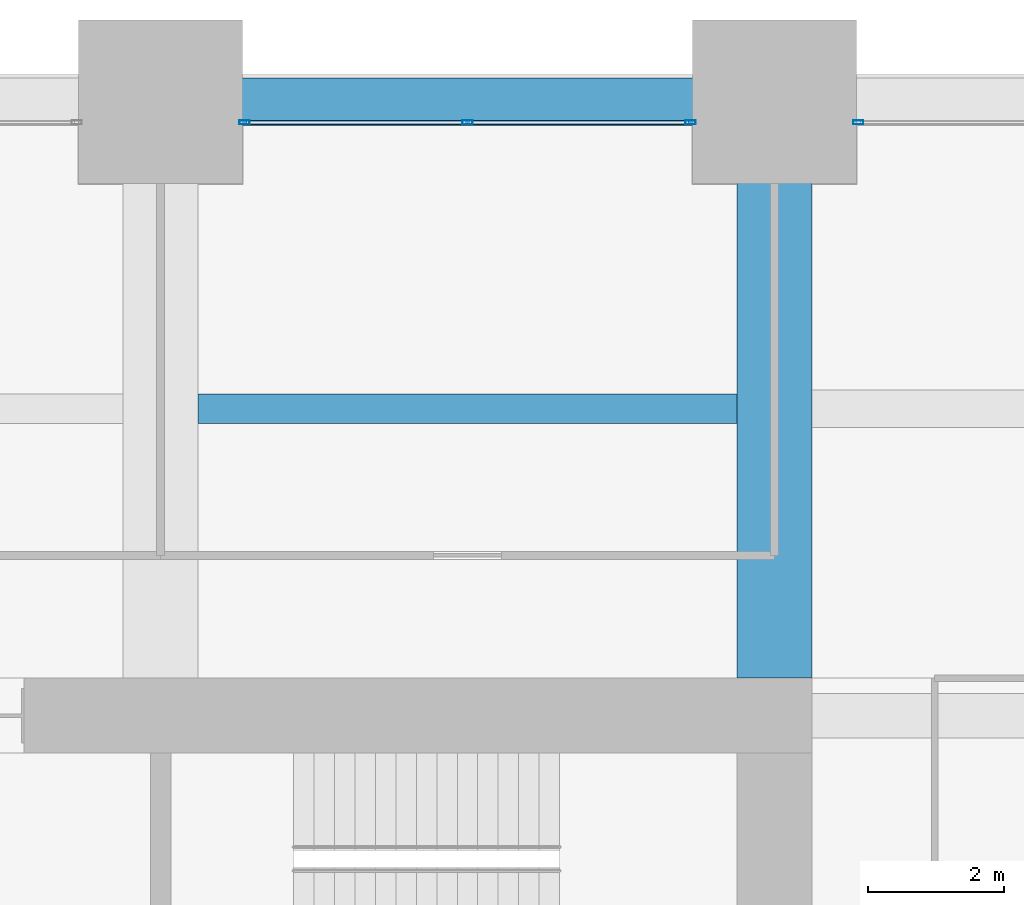
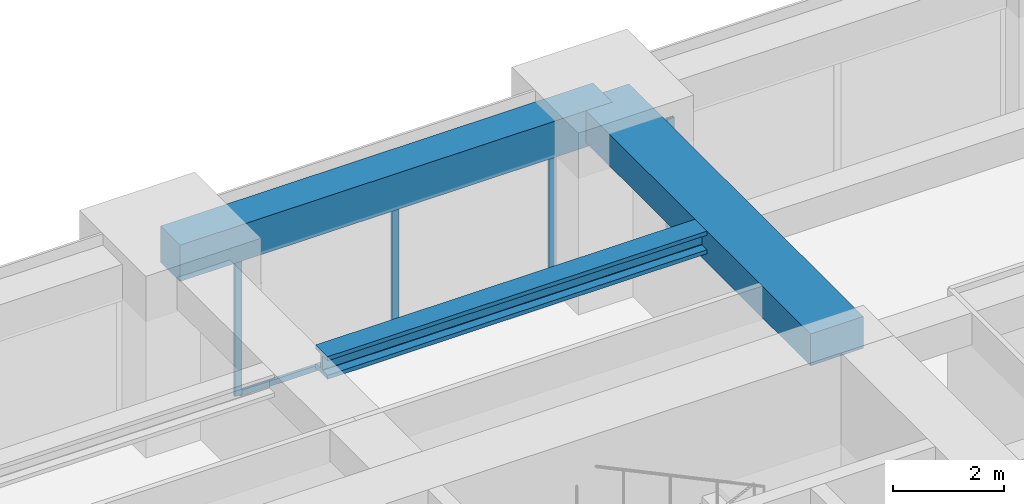
# One storey, part 30 of 39: 5 members, 3 beams, 2 elements without a shape of their own.
"""IFC4 building model written with IfcOpenShell, lengths in metres."""

from ifc_helpers import new_model, si_unit, direction, frame, origin, origin_2d, place, context, subcontext, project, spatial, rectangle, hollow_rectangle, i_section, extrude, material, material_profile, profile_set, type_object, element, aggregate, save


model = new_model("IFC4")

# Units and contexts
model_context = context("Model", 3, precision=1e-05, world=origin(), true_north=direction((0.0, 1.0)))
body_context = subcontext(model_context, "Body", "Model", "MODEL_VIEW")
ifc_project = project(units=[si_unit("LENGTHUNIT", "METRE"), si_unit("AREAUNIT", "SQUARE_METRE"), si_unit("VOLUMEUNIT", "CUBIC_METRE"), si_unit("PLANEANGLEUNIT", "RADIAN"), si_unit("MASSUNIT", "GRAM", prefix="KILO")], contexts=[model_context])

# Site, building, storey
site_placement = place(None, origin())
site = spatial("IfcSite", under=ifc_project, at=site_placement, CompositionType="ELEMENT")
building_placement = place(site_placement, origin())
building = spatial("IfcBuilding", under=site, at=building_placement, Name="Zorevar Civic Tower", CompositionType="ELEMENT")
storey_placement = place(building_placement, frame((0.0, 0.0, 125.0)))
storey = spatial("IfcBuildingStorey", under=building, at=storey_placement, Name="L30", CompositionType="ELEMENT", Elevation=125.0)

# Beam
ifc_material_1 = material(Name="Concrete C50/60", Category="concrete")
ifc_material_profile_1 = material_profile(ifc_material_1, rectangle(XDim=1.10009765625, YDim=0.699951171875, at=origin_2d()), Name="RC 1100x700")
ifc_profile_set_1 = profile_set([ifc_material_profile_1], Name="Concrete C50/60")
beam_type_1 = type_object("IfcBeamType", Name="Beam RC 1100x700", PredefinedType="BEAM", material=ifc_profile_set_1)
beam_1_placement = place(storey_placement, frame((45.0, 36.550048828125, 3.39990234375), z_axis=(0.0, 1.0, 0.0), x_axis=(-1.0, 0.0, 0.0)))
element("IfcBeam", 1, at=beam_1_placement, inside=storey, type_object=beam_type_1, Name="Girder L31", PredefinedType="BEAM", context=body_context, shape_type="SweptSolid", body=[
    extrude(rectangle(XDim=1.10009765625, YDim=0.699951171875, at=origin_2d()), origin(), (0.0, 0.0, 1.0), 8.449951171875),
])

# Curtain wall, members
ifc_material_2 = material(Name="Dark grey solar-control glass in black aluminium frame", Category="aluminium")
curtain_wall_type = type_object("IfcCurtainWallType", Name="Curtain wall CW3 mid zone", PredefinedType="NOTDEFINED", material=ifc_material_2)
curtain_wall_1_placement = place(storey_placement, origin())
curtain_wall_1 = element("IfcCurtainWall", 2, at=curtain_wall_1_placement, inside=storey, type_object=curtain_wall_type, Name="CW3 L30", PredefinedType="NOTDEFINED")
ifc_material_3 = material(Name="Aluminium, black anodised", Category="aluminium")
ifc_material_profile_2 = material_profile(ifc_material_3, hollow_rectangle(XDim=0.06005859375, YDim=0.14990234375, WallThickness=0.00390625, at=origin_2d()), Name="AL 150x60x4")
ifc_profile_set_2 = profile_set([ifc_material_profile_2], Name="Aluminium, black anodised")
member_type_1 = type_object("IfcMemberType", Name="CW3 mullion AL 150x60x4", PredefinedType="MULLION", material=ifc_profile_set_2)
member_1_placement = place(storey_placement, frame((37.22998046875, 44.699951171875, 0.0), z_axis=(0.0, 0.0, 1.0), x_axis=(0.0, 1.0, 0.0)))
member_1 = element("IfcMember", 3, at=member_1_placement, type_object=member_type_1, Name="CW3 mullion 1", PredefinedType="MULLION", context=body_context, shape_type="SweptSolid", body=[
    extrude(hollow_rectangle(XDim=0.06005859375, YDim=0.14990234375, WallThickness=0.00390625, at=origin_2d()), origin(), (0.0, 0.0, 1.0), 2.949951171875),
])
member_2_placement = place(storey_placement, frame((40.5, 44.699951171875, 0.06005859375), z_axis=(0.0, 0.0, 1.0), x_axis=(0.0, 1.0, 0.0)))
member_2 = element("IfcMember", 4, at=member_2_placement, type_object=member_type_1, Name="CW3 mullion 2", PredefinedType="MULLION", context=body_context, shape_type="SweptSolid", body=[
    extrude(hollow_rectangle(XDim=0.06005859375, YDim=0.14990234375, WallThickness=0.00390625, at=origin_2d()), origin(), (0.0, 0.0, 1.0), 2.889892578125),
])
member_3_placement = place(storey_placement, frame((43.77001953125, 44.699951171875, 0.0), z_axis=(0.0, 0.0, 1.0), x_axis=(0.0, 1.0, 0.0)))
member_3 = element("IfcMember", 5, at=member_3_placement, type_object=member_type_1, Name="CW3 mullion 3", PredefinedType="MULLION", context=body_context, shape_type="SweptSolid", body=[
    extrude(hollow_rectangle(XDim=0.06005859375, YDim=0.14990234375, WallThickness=0.00390625, at=origin_2d()), origin(), (0.0, 0.0, 1.0), 2.949951171875),
])

# Curtain wall, member
curtain_wall_2_placement = place(storey_placement, origin())
curtain_wall_2 = element("IfcCurtainWall", 6, at=curtain_wall_2_placement, inside=storey, type_object=curtain_wall_type, Name="CW3 L30", PredefinedType="NOTDEFINED")
member_4_placement = place(storey_placement, frame((46.22998046875, 44.699951171875, 0.0), z_axis=(0.0, 0.0, 1.0), x_axis=(0.0, 1.0, 0.0)))
member_4 = element("IfcMember", 7, at=member_4_placement, type_object=member_type_1, Name="CW3 mullion 1", PredefinedType="MULLION", context=body_context, shape_type="SweptSolid", body=[
    extrude(hollow_rectangle(XDim=0.06005859375, YDim=0.14990234375, WallThickness=0.00390625, at=origin_2d()), origin(), (0.0, 0.0, 1.0), 2.949951171875),
])
aggregate(curtain_wall_2, [member_4])

# Member
ifc_material_4 = material(Name="Aluminium, black anodised", Category="aluminium")
ifc_material_profile_3 = material_profile(ifc_material_4, hollow_rectangle(XDim=0.06005859375, YDim=0.1201171875, WallThickness=0.0029296875, at=origin_2d()), Name="AL 120x60x3")
ifc_profile_set_3 = profile_set([ifc_material_profile_3], Name="Aluminium, black anodised")
member_type_2 = type_object("IfcMemberType", Name="CW3 transom AL 120x60x3", PredefinedType="USERDEFINED", material=ifc_profile_set_3)
member_5_placement = place(storey_placement, frame((37.260009765625, 44.699951171875, 0.030029296875), z_axis=(1.0, 0.0, 0.0), x_axis=(0.0, 1.0, 0.0)))
member_5 = element("IfcMember", 8, at=member_5_placement, type_object=member_type_2, Name="CW3 sill transom", ObjectType="TRANSOM", PredefinedType="USERDEFINED", context=body_context, shape_type="SweptSolid", body=[
    extrude(hollow_rectangle(XDim=0.06005859375, YDim=0.1201171875, WallThickness=0.0029296875, at=origin_2d()), origin(), (0.0, 0.0, 1.0), 6.47998046875),
])

aggregate(curtain_wall_1, [member_1, member_2, member_3, member_5])

# Beams
ifc_material_5 = material(Name="Steel S460M (HISTAR 460)", Category="steel")
ifc_material_profile_4 = material_profile(ifc_material_5, i_section(OverallWidth=0.431884765625, OverallDepth=0.498046875, WebThickness=0.0556640625, FlangeThickness=0.0888671875, FilletRadius=0.014892578125, at=origin_2d()), Name="HD 400x744")
ifc_profile_set_4 = profile_set([ifc_material_profile_4], Name="Steel S460M (HISTAR 460)")
beam_type_2 = type_object("IfcBeamType", Name="Core bay beam HD 400x744", PredefinedType="BEAM", material=ifc_profile_set_4)
beam_2_placement = place(storey_placement, frame((36.550048828125, 40.5, 3.5009765625), z_axis=(1.0, 0.0, 0.0), x_axis=(0.0, 1.0, 0.0)))
element("IfcBeam", 9, at=beam_2_placement, inside=storey, type_object=beam_type_2, Name="Secondary beam L31", PredefinedType="BEAM", context=body_context, shape_type="SweptSolid", body=[
    extrude(i_section(OverallWidth=0.431884765625, OverallDepth=0.498046875, WebThickness=0.0556640625, FlangeThickness=0.0888671875, FilletRadius=0.014892578125, at=origin_2d()), origin(), (0.0, 0.0, 1.0), 7.89990234375),
])
ifc_material_6 = material(Name="Concrete C50/60", Category="concrete")
ifc_material_profile_5 = material_profile(ifc_material_6, rectangle(XDim=0.699951171875, YDim=0.800048828125, at=origin_2d()), Name="RC 700x800")
ifc_profile_set_5 = profile_set([ifc_material_profile_5], Name="Concrete C50/60")
beam_type_3 = type_object("IfcBeamType", Name="Edge beam RC 700x800", PredefinedType="SPANDREL", material=ifc_profile_set_5)
beam_3_placement = place(storey_placement, frame((36.0, 45.0, 3.35009765625), z_axis=(1.0, 0.0, 0.0), x_axis=(0.0, 1.0, 0.0)))
element("IfcBeam", 10, at=beam_3_placement, inside=storey, type_object=beam_type_3, Name="Edge beam L31", PredefinedType="SPANDREL", context=body_context, shape_type="SweptSolid", body=[
    extrude(rectangle(XDim=0.699951171875, YDim=0.800048828125, at=origin_2d()), origin(), (0.0, 0.0, 1.0), 9.0),
])

save(model, "model.ifc")
